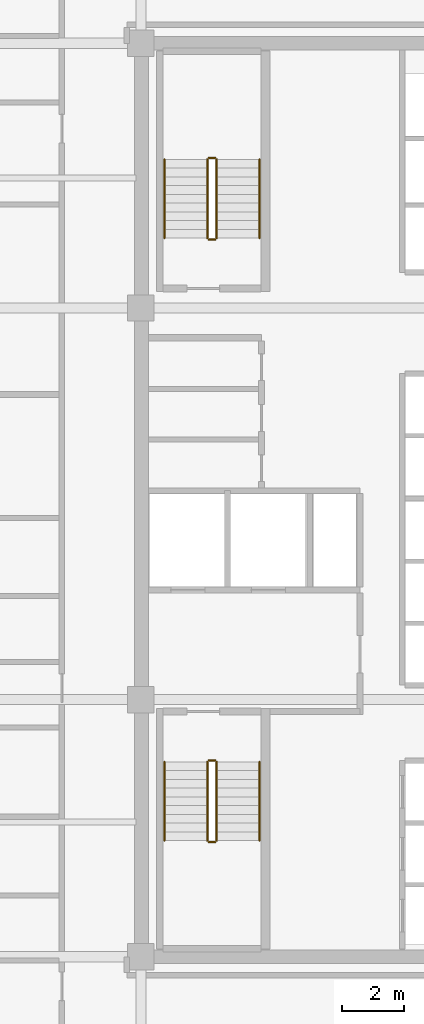
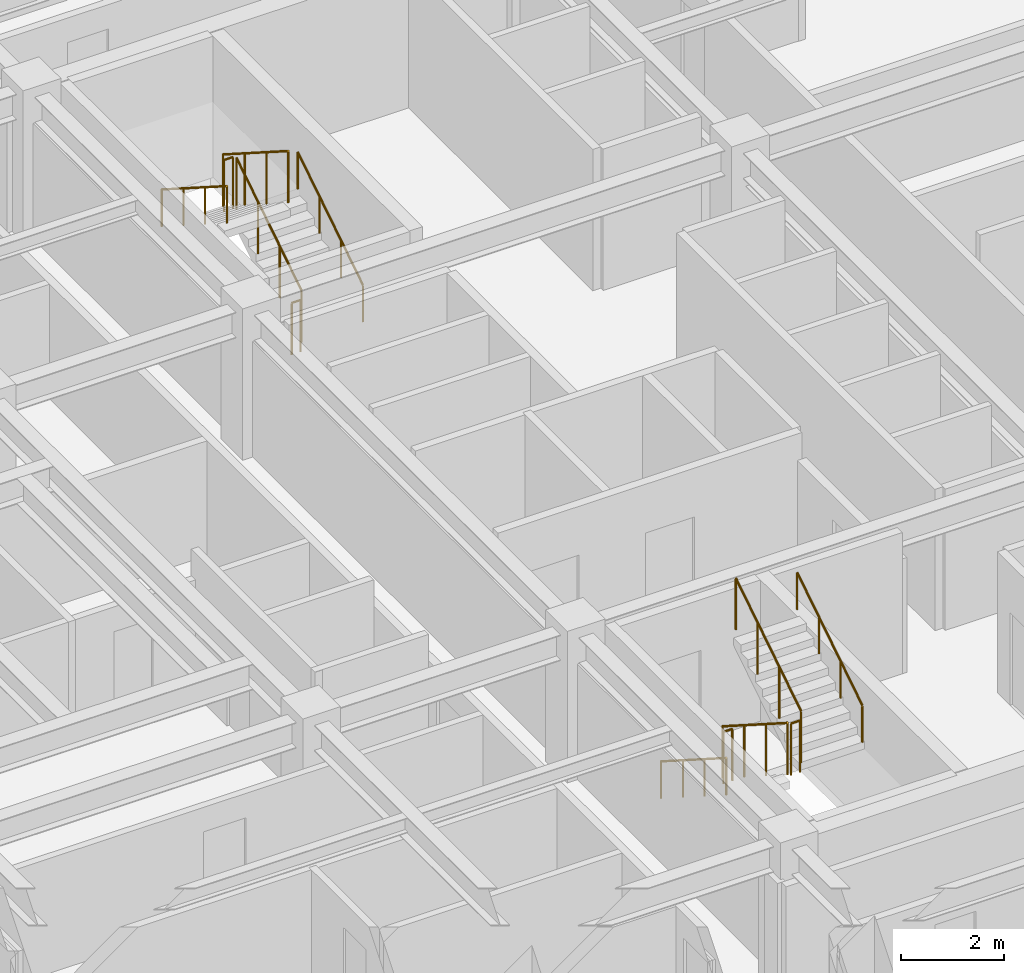
# One storey, part 8 of 8: 12 railings.
"""IFC4 building model written with IfcOpenShell, lengths in metres."""

from ifc_helpers import new_model, si_unit, direction, frame, origin, origin_2d, place, context, subcontext, project, spatial, circle, extrude, material, type_object, element, save


model = new_model("IFC4")

# Units and contexts
model_context = context("Model", 3, precision=1e-05, world=origin(), true_north=direction((0.0, 1.0)))
body_context = subcontext(model_context, "Body", "Model", "MODEL_VIEW")
ifc_project = project(units=[si_unit("LENGTHUNIT", "METRE"), si_unit("AREAUNIT", "SQUARE_METRE"), si_unit("VOLUMEUNIT", "CUBIC_METRE"), si_unit("PLANEANGLEUNIT", "RADIAN"), si_unit("MASSUNIT", "GRAM", prefix="KILO")], contexts=[model_context])

# Site, building, storey
site_placement = place(None, origin())
site = spatial("IfcSite", under=ifc_project, at=site_placement, CompositionType="ELEMENT")
building_placement = place(site_placement, origin())
building = spatial("IfcBuilding", under=site, at=building_placement, Name="Ochreholt Gables", CompositionType="ELEMENT")
storey_placement = place(building_placement, frame((0.0, 0.0, 91.199951171875)))
storey = spatial("IfcBuildingStorey", under=building, at=storey_placement, Name="L23", CompositionType="ELEMENT", Elevation=91.199951171875)

# Railings
ifc_material_1 = material(Name="Painted Steel Stair Guardrail", Category="steel")
railing_type_1 = type_object("IfcRailingType", Name="RL-ST-GUARD", PredefinedType="GUARDRAIL", material=ifc_material_1)
railing_1_placement = place(storey_placement, frame((26.35009765625, 15.5400390625, 0.179931640625)))
element("IfcRailing", 1, at=railing_1_placement, inside=storey, type_object=railing_type_1, Name="L23 ST-1 stair guard 1", PredefinedType="GUARDRAIL", context=body_context, shape_type="SweptSolid", body=[
    extrude(circle(Radius=0.02392578125, at=origin_2d()), frame((0.0, 0.0, 1.22607421875), z_axis=(0.0, -0.842912820907, 0.538050161556), x_axis=(1.0, 0.0, 0.0)), (0.0, 0.0, 1.0), 3.010986328125),
    extrude(circle(Radius=0.02099609375, at=origin_2d()), origin(), (0.0, 0.0, 1.0), 1.201904296875),
    extrude(circle(Radius=0.02099609375, at=origin_2d()), frame((0.0, -0.845947265625, 0.5400390625)), (0.0, 0.0, 1.0), 1.201904296875),
    extrude(circle(Radius=0.02099609375, at=origin_2d()), frame((0.0, -1.692138671875, 1.080078125)), (0.0, 0.0, 1.0), 1.201904296875),
    extrude(circle(Radius=0.02099609375, at=origin_2d()), frame((0.0, -2.5380859375, 1.6201171875)), (0.0, 0.0, 1.0), 1.201904296875),
])
railing_2_placement = place(storey_placement, frame((26.39990234375, 12.951904296875, 1.800048828125)))
element("IfcRailing", 2, at=railing_2_placement, inside=storey, type_object=railing_type_1, Name="L23 ST-1 stair guard 2", PredefinedType="GUARDRAIL", context=body_context, shape_type="SweptSolid", body=[
    extrude(circle(Radius=0.02392578125, at=origin_2d()), frame((0.0, 0.0, 1.22607421875), z_axis=(1.0, 0.0, 0.0), x_axis=(0.0, 1.0, 0.0)), (0.0, 0.0, 1.0), 0.2001953125),
    extrude(circle(Radius=0.02099609375, at=origin_2d()), origin(), (0.0, 0.0, 1.0), 1.201904296875),
    extrude(circle(Radius=0.02099609375, at=origin_2d()), frame((0.2001953125, 0.0, 0.0)), (0.0, 0.0, 1.0), 1.201904296875),
])
railing_3_placement = place(storey_placement, frame((26.64990234375, 13.001953125, 1.97998046875)))
element("IfcRailing", 3, at=railing_3_placement, inside=storey, type_object=railing_type_1, Name="L23 ST-1 stair guard 3", PredefinedType="GUARDRAIL", context=body_context, shape_type="SweptSolid", body=[
    extrude(circle(Radius=0.02392578125, at=origin_2d()), frame((0.0, 0.0, 1.22607421875), z_axis=(0.0, 0.842912820907, 0.538050161556), x_axis=(-1.0, 0.0, 0.0)), (0.0, 0.0, 1.0), 3.010986328125),
    extrude(circle(Radius=0.02099609375, at=origin_2d()), origin(), (0.0, 0.0, 1.0), 1.201904296875),
    extrude(circle(Radius=0.02099609375, at=origin_2d()), frame((0.0, 0.845947265625, 0.5400390625)), (0.0, 0.0, 1.0), 1.201904296875),
    extrude(circle(Radius=0.02099609375, at=origin_2d()), frame((0.0, 1.692138671875, 1.080078125)), (0.0, 0.0, 1.0), 1.201904296875),
    extrude(circle(Radius=0.02099609375, at=origin_2d()), frame((0.0, 2.5380859375, 1.6201171875)), (0.0, 0.0, 1.0), 1.201904296875),
])
railing_4_placement = place(storey_placement, frame((26.39990234375, 15.590087890625, 0.0)))
element("IfcRailing", 4, at=railing_4_placement, inside=storey, type_object=railing_type_1, Name="L23 ST-1 stair guard 4", PredefinedType="GUARDRAIL", context=body_context, shape_type="SweptSolid", body=[
    extrude(circle(Radius=0.02392578125, at=origin_2d()), frame((0.0, 0.0, 1.22607421875), z_axis=(1.0, 0.0, 0.0), x_axis=(0.0, 1.0, 0.0)), (0.0, 0.0, 1.0), 0.2001953125),
    extrude(circle(Radius=0.02099609375, at=origin_2d()), origin(), (0.0, 0.0, 1.0), 1.201904296875),
    extrude(circle(Radius=0.02099609375, at=origin_2d()), frame((0.2001953125, 0.0, 0.0)), (0.0, 0.0, 1.0), 1.201904296875),
])
railing_5_placement = place(storey_placement, frame((26.64990234375, 32.4599609375, 0.179931640625)))
element("IfcRailing", 5, at=railing_5_placement, inside=storey, type_object=railing_type_1, Name="L23 ST-2 stair guard 1", PredefinedType="GUARDRAIL", context=body_context, shape_type="SweptSolid", body=[
    extrude(circle(Radius=0.02392578125, at=origin_2d()), frame((0.0, 0.0, 1.22607421875), z_axis=(0.0, 0.842912820907, 0.538050161556), x_axis=(-1.0, 0.0, 0.0)), (0.0, 0.0, 1.0), 3.010986328125),
    extrude(circle(Radius=0.02099609375, at=origin_2d()), origin(), (0.0, 0.0, 1.0), 1.201904296875),
    extrude(circle(Radius=0.02099609375, at=origin_2d()), frame((0.0, 0.845947265625, 0.5400390625)), (0.0, 0.0, 1.0), 1.201904296875),
    extrude(circle(Radius=0.02099609375, at=origin_2d()), frame((0.0, 1.692138671875, 1.080078125)), (0.0, 0.0, 1.0), 1.201904296875),
    extrude(circle(Radius=0.02099609375, at=origin_2d()), frame((0.0, 2.5380859375, 1.6201171875)), (0.0, 0.0, 1.0), 1.201904296875),
])
railing_6_placement = place(storey_placement, frame((26.60009765625, 35.048095703125, 1.800048828125)))
element("IfcRailing", 6, at=railing_6_placement, inside=storey, type_object=railing_type_1, Name="L23 ST-2 stair guard 2", PredefinedType="GUARDRAIL", context=body_context, shape_type="SweptSolid", body=[
    extrude(circle(Radius=0.02392578125, at=origin_2d()), frame((0.0, 0.0, 1.22607421875), z_axis=(-1.0, 0.0, 0.0), x_axis=(0.0, -1.0, 0.0)), (0.0, 0.0, 1.0), 0.2001953125),
    extrude(circle(Radius=0.02099609375, at=origin_2d()), origin(), (0.0, 0.0, 1.0), 1.201904296875),
    extrude(circle(Radius=0.02099609375, at=origin_2d()), frame((-0.2001953125, 0.0, 0.0)), (0.0, 0.0, 1.0), 1.201904296875),
])
railing_7_placement = place(storey_placement, frame((26.35009765625, 34.998046875, 1.97998046875)))
element("IfcRailing", 7, at=railing_7_placement, inside=storey, type_object=railing_type_1, Name="L23 ST-2 stair guard 3", PredefinedType="GUARDRAIL", context=body_context, shape_type="SweptSolid", body=[
    extrude(circle(Radius=0.02392578125, at=origin_2d()), frame((0.0, 0.0, 1.22607421875), z_axis=(0.0, -0.842912820907, 0.538050161556), x_axis=(1.0, 0.0, 0.0)), (0.0, 0.0, 1.0), 3.010986328125),
    extrude(circle(Radius=0.02099609375, at=origin_2d()), origin(), (0.0, 0.0, 1.0), 1.201904296875),
    extrude(circle(Radius=0.02099609375, at=origin_2d()), frame((0.0, -0.845947265625, 0.5400390625)), (0.0, 0.0, 1.0), 1.201904296875),
    extrude(circle(Radius=0.02099609375, at=origin_2d()), frame((0.0, -1.692138671875, 1.080078125)), (0.0, 0.0, 1.0), 1.201904296875),
    extrude(circle(Radius=0.02099609375, at=origin_2d()), frame((0.0, -2.5380859375, 1.6201171875)), (0.0, 0.0, 1.0), 1.201904296875),
])
railing_8_placement = place(storey_placement, frame((26.60009765625, 32.409912109375, 0.0)))
element("IfcRailing", 8, at=railing_8_placement, inside=storey, type_object=railing_type_1, Name="L23 ST-2 stair guard 4", PredefinedType="GUARDRAIL", context=body_context, shape_type="SweptSolid", body=[
    extrude(circle(Radius=0.02392578125, at=origin_2d()), frame((0.0, 0.0, 1.22607421875), z_axis=(-1.0, 0.0, 0.0), x_axis=(0.0, -1.0, 0.0)), (0.0, 0.0, 1.0), 0.2001953125),
    extrude(circle(Radius=0.02099609375, at=origin_2d()), origin(), (0.0, 0.0, 1.0), 1.201904296875),
    extrude(circle(Radius=0.02099609375, at=origin_2d()), frame((-0.2001953125, 0.0, 0.0)), (0.0, 0.0, 1.0), 1.201904296875),
])
ifc_material_2 = material(Name="Brushed Stainless Steel Wall Handrail", Category="steel")
railing_type_2 = type_object("IfcRailingType", Name="RL-ST-HAND", PredefinedType="HANDRAIL", material=ifc_material_2)
railing_9_placement = place(storey_placement, frame((24.969970703125, 15.5400390625, 0.179931640625)))
element("IfcRailing", 9, at=railing_9_placement, inside=storey, type_object=railing_type_2, Name="L23 ST-1 stair handrail 1", PredefinedType="HANDRAIL", context=body_context, shape_type="SweptSolid", body=[
    extrude(circle(Radius=0.02392578125, at=origin_2d()), frame((0.0, 0.0, 0.8759765625), z_axis=(0.0, -0.842912820907, 0.538050161556), x_axis=(1.0, 0.0, 0.0)), (0.0, 0.0, 1.0), 3.010986328125),
    extrude(circle(Radius=0.02099609375, at=origin_2d()), origin(), (0.0, 0.0, 1.0), 0.851806640625),
    extrude(circle(Radius=0.02099609375, at=origin_2d()), frame((0.0, -0.845947265625, 0.5400390625)), (0.0, 0.0, 1.0), 0.851806640625),
    extrude(circle(Radius=0.02099609375, at=origin_2d()), frame((0.0, -1.692138671875, 1.080078125)), (0.0, 0.0, 1.0), 0.851806640625),
    extrude(circle(Radius=0.02099609375, at=origin_2d()), frame((0.0, -2.5380859375, 1.6201171875)), (0.0, 0.0, 1.0), 0.851806640625),
])
for number, where, name in (
    (10, (28.030029296875, 13.001953125, 1.97998046875), "L23 ST-1 stair handrail 2"),
    (11, (28.030029296875, 32.4599609375, 0.179931640625), "L23 ST-2 stair handrail 1"),
):
    element("IfcRailing", number, at=place(storey_placement, frame(where)), inside=storey, type_object=railing_type_2, Name=name, PredefinedType="HANDRAIL", context=body_context, shape_type="SweptSolid", body=[
        extrude(circle(Radius=0.02392578125, at=origin_2d()), frame((0.0, 0.0, 0.8759765625), z_axis=(0.0, 0.842912820907, 0.538050161556), x_axis=(-1.0, 0.0, 0.0)), (0.0, 0.0, 1.0), 3.010986328125),
        extrude(circle(Radius=0.02099609375, at=origin_2d()), origin(), (0.0, 0.0, 1.0), 0.851806640625),
        extrude(circle(Radius=0.02099609375, at=origin_2d()), frame((0.0, 0.845947265625, 0.5400390625)), (0.0, 0.0, 1.0), 0.851806640625),
        extrude(circle(Radius=0.02099609375, at=origin_2d()), frame((0.0, 1.692138671875, 1.080078125)), (0.0, 0.0, 1.0), 0.851806640625),
        extrude(circle(Radius=0.02099609375, at=origin_2d()), frame((0.0, 2.5380859375, 1.6201171875)), (0.0, 0.0, 1.0), 0.851806640625),
    ])
railing_10_placement = place(storey_placement, frame((24.969970703125, 34.998046875, 1.97998046875)))
element("IfcRailing", 12, at=railing_10_placement, inside=storey, type_object=railing_type_2, Name="L23 ST-2 stair handrail 2", PredefinedType="HANDRAIL", context=body_context, shape_type="SweptSolid", body=[
    extrude(circle(Radius=0.02392578125, at=origin_2d()), frame((0.0, 0.0, 0.8759765625), z_axis=(0.0, -0.842912820907, 0.538050161556), x_axis=(1.0, 0.0, 0.0)), (0.0, 0.0, 1.0), 3.010986328125),
    extrude(circle(Radius=0.02099609375, at=origin_2d()), origin(), (0.0, 0.0, 1.0), 0.851806640625),
    extrude(circle(Radius=0.02099609375, at=origin_2d()), frame((0.0, -0.845947265625, 0.5400390625)), (0.0, 0.0, 1.0), 0.851806640625),
    extrude(circle(Radius=0.02099609375, at=origin_2d()), frame((0.0, -1.692138671875, 1.080078125)), (0.0, 0.0, 1.0), 0.851806640625),
    extrude(circle(Radius=0.02099609375, at=origin_2d()), frame((0.0, -2.5380859375, 1.6201171875)), (0.0, 0.0, 1.0), 0.851806640625),
])

save(model, "model.ifc")
